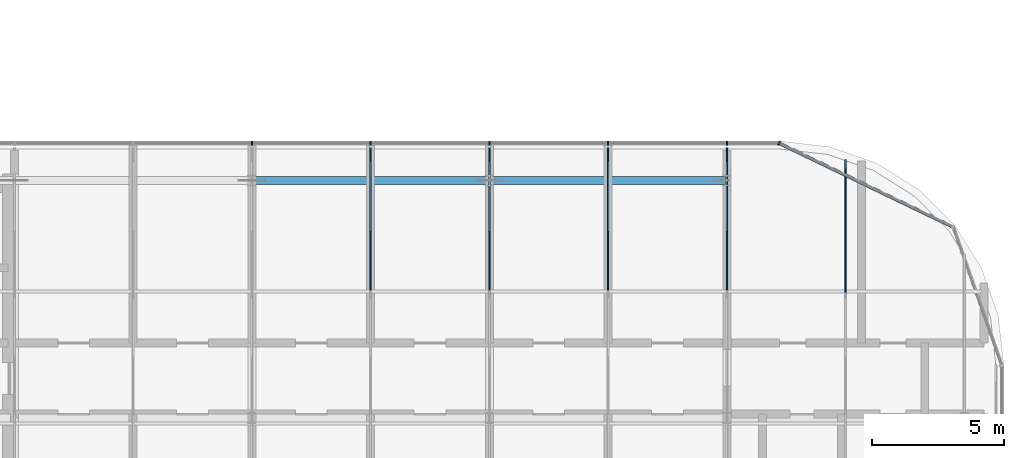
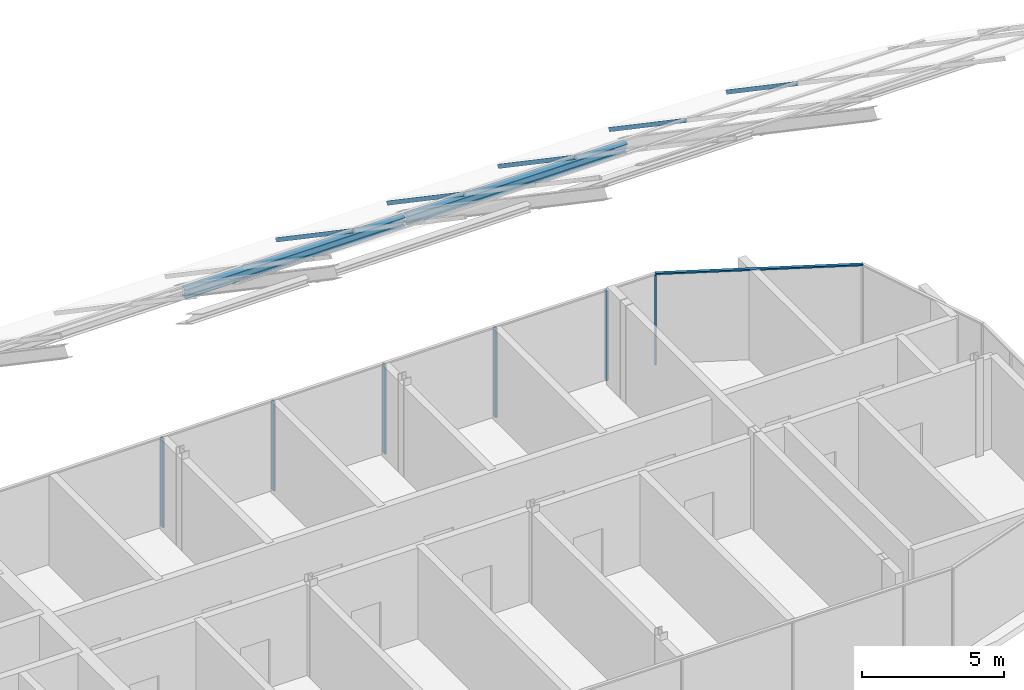
# One storey, part 16 of 25: 14 members, 4 elements without a shape of their own.
"""IFC4 building model written with IfcOpenShell, lengths in metres."""

import ifcopenshell
import ifcopenshell.guid

model = None  # the IFC model being written
_history = None  # IfcOwnerHistory: only IFC2X3 demands one
_inside = {}  # id of a spatial element -> (the spatial element, [elements in it])
_under = {}  # id of a project, library or spatial element -> (it, [spatial elements below it])
_declared = {}  # id of a project -> (the project, [libraries it declares])
_typed = {}  # id of a type object -> (the type object, [elements of that type])
_made_of = {}  # id of a material, layer set ... -> (it, [elements and type objects made of it])


def new_model(schema):
    """Start an empty IFC model of exactly this schema.

    Asked for "IFC4X3", IfcOpenShell would pick the latest addendum, in which some entities
    have other attributes; the version numbers below select the first issue.
    IFC2X3 requires an IfcOwnerHistory on every rooted entity: one is made here for all.
    """
    global model, _history
    if schema == "IFC4X3":
        model = ifcopenshell.file(schema_version=(4, 3, 0, 0))
    else:
        model = ifcopenshell.file(schema=schema)
    _inside.clear()
    _under.clear()
    _declared.clear()
    _typed.clear()
    _made_of.clear()
    _history = None
    if model.schema == "IFC2X3":
        org = make("IfcOrganization", Name="unknown")
        user = make(
            "IfcPersonAndOrganization",
            ThePerson=make("IfcPerson", FamilyName="unknown"),
            TheOrganization=org,
        )
        app = make(
            "IfcApplication",
            ApplicationDeveloper=org,
            Version="unknown",
            ApplicationFullName="unknown",
            ApplicationIdentifier="unknown",
        )
        _history = make(
            "IfcOwnerHistory",
            OwningUser=user,
            OwningApplication=app,
            ChangeAction="ADDED",
            CreationDate=0,
        )
    return model


def make(cls, **values):
    """One entity of the class cls with the attributes given. An attribute that is None is left unset."""
    return model.create_entity(
        cls, **{name: value for name, value in values.items() if value is not None}
    )


def rooted(cls, **values):
    """An entity with a GlobalId (a new one), such as an element, a storey or a relation."""
    return make(cls, GlobalId=ifcopenshell.guid.new(), OwnerHistory=_history, **values)


def si_unit(unit_type, name, prefix=None):
    """IfcSIUnit, for example si_unit("LENGTHUNIT", "METRE", prefix="MILLI")."""
    return make("IfcSIUnit", UnitType=unit_type, Prefix=prefix, Name=name)


def assignment(units):
    """IfcUnitAssignment: the units of a project."""
    return None if units is None else make("IfcUnitAssignment", Units=units)


def point(xyz):
    """IfcCartesianPoint."""
    return None if xyz is None else make("IfcCartesianPoint", Coordinates=xyz)


def direction(xyz):
    """IfcDirection."""
    return None if xyz is None else make("IfcDirection", DirectionRatios=xyz)


def frame(location, z_axis=None, x_axis=None):
    """IfcAxis2Placement3D, a coordinate frame: its origin and axes. An axis left out is left unset."""
    return make(
        "IfcAxis2Placement3D",
        Location=point(location),
        Axis=direction(z_axis),
        RefDirection=direction(x_axis),
    )


def frame_2d(location, x_axis=None):
    """IfcAxis2Placement2D, a coordinate frame in the plane: its origin and x axis."""
    return make(
        "IfcAxis2Placement2D", Location=point(location), RefDirection=direction(x_axis)
    )


def origin():
    """The frame at (0, 0, 0) with its axes left unset."""
    return frame((0.0, 0.0, 0.0))


def origin_2d():
    """The frame at (0, 0) in the plane with its x axis left unset."""
    return frame_2d((0.0, 0.0))


def place(relative_to, where):
    """IfcLocalPlacement: puts the frame where relative to a parent placement (None: the world)."""
    return make(
        "IfcLocalPlacement", PlacementRelTo=relative_to, RelativePlacement=where
    )


def context(
    kind, dimensions, precision=None, world=None, true_north=None, identifier=None
):
    """IfcGeometricRepresentationContext, for example the 3D "Model" context."""
    return make(
        "IfcGeometricRepresentationContext",
        ContextIdentifier=identifier,
        ContextType=kind,
        CoordinateSpaceDimension=dimensions,
        Precision=precision,
        WorldCoordinateSystem=world,
        TrueNorth=true_north,
    )


def subcontext(parent, identifier, kind, view, scale=None):
    """IfcGeometricRepresentationSubContext, for example "Body" below "Model"."""
    return make(
        "IfcGeometricRepresentationSubContext",
        ContextIdentifier=identifier,
        ContextType=kind,
        ParentContext=parent,
        TargetScale=scale,
        TargetView=view,
    )


def project(units=None, contexts=None):
    """IfcProject with its units and contexts."""
    return rooted(
        "IfcProject",
        Name="project",
        RepresentationContexts=contexts,
        UnitsInContext=assignment(units),
    )


def spatial(cls, under=None, at=None, **own):
    """A site, building, storey or space (cls), placed at a placement, below another one or the project."""
    s = rooted(cls, ObjectPlacement=at, **own)
    if under is not None:
        _under.setdefault(under.id(), (under, []))[1].append(s)
    return s


def profile(cls, at=None, kind="AREA", **sizes):
    """A parametric profile (cls). Its sizes go by their IFC names, for example OverallWidth=200.0."""
    return make(cls, ProfileType=kind, Position=at, **sizes)


def rectangle(**sizes):
    """IfcRectangleProfileDef."""
    return profile("IfcRectangleProfileDef", **sizes)


def i_section(**sizes):
    """IfcIShapeProfileDef."""
    return profile("IfcIShapeProfileDef", **sizes)


def extrude(swept, where, along, depth):
    """IfcExtrudedAreaSolid: the profile swept, set in the frame where, extruded along a direction by depth."""
    return make(
        "IfcExtrudedAreaSolid",
        SweptArea=swept,
        Position=where,
        ExtrudedDirection=direction(along),
        Depth=depth,
    )


def shape(context_of_items, identifier, shape_type, items):
    """IfcShapeRepresentation: the items that make up one representation, for example the "Body"."""
    return make(
        "IfcShapeRepresentation",
        ContextOfItems=context_of_items,
        RepresentationIdentifier=identifier,
        RepresentationType=shape_type,
        Items=items,
    )


def material(Name=None, Category=None):
    """IfcMaterial."""
    return make("IfcMaterial", Name=Name, Category=Category)


def material_profile(
    of_material, cross_section, Name=None, Category=None, Priority=None
):
    """IfcMaterialProfile: a cross section and its material."""
    return make(
        "IfcMaterialProfile",
        Name=Name,
        Material=of_material,
        Profile=cross_section,
        Priority=Priority,
        Category=Category,
    )


def profile_set(profiles, Name=None, composite=None):
    """IfcMaterialProfileSet."""
    return make(
        "IfcMaterialProfileSet",
        Name=Name,
        MaterialProfiles=profiles,
        CompositeProfile=composite,
    )


def made_of(thing, what):
    """Note that an element or type object is made of a material, layer set ...; save() writes the relation."""
    if what is not None:
        _made_of.setdefault(what.id(), (what, []))[1].append(thing)
    return thing


def type_object(cls, material=None, **own):
    """A type object (cls), such as IfcWallType, which elements share."""
    return made_of(rooted(cls, **own), material)


def element(
    cls,
    number,
    at=None,
    inside=None,
    cuts=None,
    type_object=None,
    material=None,
    context=None,
    identifier="Body",
    shape_type=None,
    held_by="IfcProductDefinitionShape",
    body=None,
    shapes=None,
    **own,
):
    """One element of the class cls, such as IfcWall. Its Tag is "e" and its number.

    at: its placement. inside: the storey or other place that contains it. cuts: it is an
    opening in that element (IfcRelVoidsElement). A single representation is given by context,
    identifier, shape_type and body (its items); several are given by shapes. held_by: the class
    of the entity that holds the representations. save() writes the other relations.
    """
    e = rooted(cls, Tag="e%d" % number, ObjectPlacement=at, **own)
    if body is not None:
        shapes = [shape(context, identifier, shape_type, body)]
    if shapes is not None:
        e.Representation = make(held_by, Representations=shapes)
    if inside is not None:
        _inside.setdefault(inside.id(), (inside, []))[1].append(e)
    if cuts is not None:
        rooted(
            "IfcRelVoidsElement", RelatingBuildingElement=cuts, RelatedOpeningElement=e
        )
    if type_object is not None:
        _typed.setdefault(type_object.id(), (type_object, []))[1].append(e)
    return made_of(e, material)


def aggregate(whole, parts):
    """IfcRelAggregates: a whole, such as a stair, and the parts it consists of."""
    return rooted("IfcRelAggregates", RelatingObject=whole, RelatedObjects=parts)


def save(model, path):
    """Write the relations noted so far, then the file.

    IfcRelAggregates (storeys below a building ...), IfcRelContainedInSpatialStructure (elements
    in a storey), IfcRelDefinesByType, IfcRelAssociatesMaterial and IfcRelDeclares: one each for
    every whole, place, type object, material and project.
    """
    for whole, parts in _under.values():
        aggregate(whole, parts)
    for where, things in _inside.values():
        rooted(
            "IfcRelContainedInSpatialStructure",
            RelatedElements=things,
            RelatingStructure=where,
        )
    for kind, things in _typed.values():
        rooted("IfcRelDefinesByType", RelatedObjects=things, RelatingType=kind)
    for what, things in _made_of.values():
        rooted("IfcRelAssociatesMaterial", RelatedObjects=things, RelatingMaterial=what)
    for by, libraries in _declared.values():
        rooted("IfcRelDeclares", RelatingContext=by, RelatedDefinitions=libraries)
    model.write(path)


model = new_model("IFC4")

# Units and contexts
model_context = context("Model", 3, precision=1e-05, world=origin(), true_north=direction((0.0, 1.0)))
body_context = subcontext(model_context, "Body", "Model", "MODEL_VIEW")
ifc_project = project(units=[si_unit("LENGTHUNIT", "METRE"), si_unit("AREAUNIT", "SQUARE_METRE"), si_unit("VOLUMEUNIT", "CUBIC_METRE"), si_unit("PLANEANGLEUNIT", "RADIAN"), si_unit("MASSUNIT", "GRAM", prefix="KILO")], contexts=[model_context])

# Site, building, storey
site_placement = place(None, origin())
site = spatial("IfcSite", under=ifc_project, at=site_placement, CompositionType="ELEMENT")
building_placement = place(site_placement, origin())
building = spatial("IfcBuilding", under=site, at=building_placement, Name="Ogive Portal Towers", CompositionType="ELEMENT")
storey_placement = place(building_placement, frame((0.0, 0.0, 272.89990234375)))
storey = spatial("IfcBuildingStorey", under=building, at=storey_placement, Name="L66", CompositionType="ELEMENT", Elevation=272.89990234375)

# Members
ifc_material_1 = material(Name="Steel S355", Category="steel")
ifc_material_profile_1 = material_profile(ifc_material_1, i_section(OverallWidth=0.300048828125, OverallDepth=0.389892578125, WebThickness=0.010986328125, FlangeThickness=0.01904296875, FilletRadius=0.027099609375, at=origin_2d()), Name="HEA 400")
ifc_profile_set_1 = profile_set([ifc_material_profile_1], Name="Steel S355")
member_type_1 = type_object("IfcMemberType", Name="CROWN EAVE BEAM HEA 400", PredefinedType="STRUT", material=ifc_profile_set_1)
for number, where, z_axis, x_axis, name in (
    (1, (67.550048828125, 39.5, 10.885009765625), (1.0, 0.0, 0.0), (0.0, 1.0, 0.0), "Crown eave"),
    (2, (76.550048828125, 39.5, 10.885009765625), (1.0, 0.0, 0.0), (0.0, 1.0, 0.0), "Crown eave"),
):
    element("IfcMember", number, at=place(storey_placement, frame(where, z_axis=z_axis, x_axis=x_axis)), inside=storey, type_object=member_type_1, Name=name, PredefinedType="STRUT", context=body_context, shape_type="SweptSolid", body=[
        extrude(i_section(OverallWidth=0.300048828125, OverallDepth=0.389892578125, WebThickness=0.010986328125, FlangeThickness=0.01904296875, FilletRadius=0.027099609375, at=origin_2d()), origin(), (0.0, 0.0, 1.0), 8.89990234375),
    ])

# Curtain wall, member
ifc_material_2 = material(Name="Glass, clear low-iron insulated glazing", Category="glass")
curtain_wall_type = type_object("IfcCurtainWallType", Name="CW CROWN GLAZING", PredefinedType="NOTDEFINED", material=ifc_material_2)
curtain_wall_1_placement = place(storey_placement, origin())
curtain_wall_1 = element("IfcCurtainWall", 3, at=curtain_wall_1_placement, inside=storey, type_object=curtain_wall_type, Name="A:L66:c11:cw", PredefinedType="NOTDEFINED")
ifc_material_3 = material(Name="Aluminium 6063 anodised", Category="aluminium")
ifc_material_profile_2 = material_profile(ifc_material_3, rectangle(XDim=0.159912109375, YDim=0.06005859375, at=origin_2d()), Name="AL 60x160")
ifc_profile_set_2 = profile_set([ifc_material_profile_2], Name="Aluminium 6063 anodised")
member_type_2 = type_object("IfcMemberType", Name="CW MULLION 60x160", PredefinedType="MULLION", material=ifc_profile_set_2)
member_1_placement = place(storey_placement, frame((87.481689453125, 40.919921875, 0.0), z_axis=(0.0, 0.0, 1.0), x_axis=(-0.433883739113, -0.900968867905, 0.0)))
member_1 = element("IfcMember", 4, at=member_1_placement, type_object=member_type_2, Name="mullion", PredefinedType="MULLION", context=body_context, shape_type="SweptSolid", body=[
    extrude(rectangle(XDim=0.159912109375, YDim=0.06005859375, at=origin_2d()), origin(), (0.0, 0.0, 1.0), 3.840087890625),
])

# Curtain wall, members
curtain_wall_2_placement = place(storey_placement, origin())
curtain_wall_2 = element("IfcCurtainWall", 5, at=curtain_wall_2_placement, inside=storey, type_object=curtain_wall_type, Name="A:L66:c12:cw", PredefinedType="NOTDEFINED")
member_2_placement = place(storey_placement, frame((85.5, 40.919921875, 0.0), z_axis=(0.0, 0.0, 1.0), x_axis=(0.0, -1.0, 0.0)))
member_2 = element("IfcMember", 6, at=member_2_placement, type_object=member_type_2, Name="mullion", PredefinedType="MULLION", context=body_context, shape_type="SweptSolid", body=[
    extrude(rectangle(XDim=0.159912109375, YDim=0.06005859375, at=origin_2d()), origin(), (0.0, 0.0, 1.0), 3.840087890625),
])
member_3_placement = place(storey_placement, frame((81.0, 40.919921875, 0.0), z_axis=(0.0, 0.0, 1.0), x_axis=(0.0, -1.0, 0.0)))
member_3 = element("IfcMember", 7, at=member_3_placement, type_object=member_type_2, Name="mullion", PredefinedType="MULLION", context=body_context, shape_type="SweptSolid", body=[
    extrude(rectangle(XDim=0.159912109375, YDim=0.06005859375, at=origin_2d()), origin(), (0.0, 0.0, 1.0), 3.840087890625),
])
member_4_placement = place(storey_placement, frame((76.5, 40.919921875, 0.0), z_axis=(0.0, 0.0, 1.0), x_axis=(0.0, -1.0, 0.0)))
member_4 = element("IfcMember", 8, at=member_4_placement, type_object=member_type_2, Name="mullion", PredefinedType="MULLION", context=body_context, shape_type="SweptSolid", body=[
    extrude(rectangle(XDim=0.159912109375, YDim=0.06005859375, at=origin_2d()), origin(), (0.0, 0.0, 1.0), 3.840087890625),
])
member_5_placement = place(storey_placement, frame((72.0, 40.919921875, 0.0), z_axis=(0.0, 0.0, 1.0), x_axis=(0.0, -1.0, 0.0)))
member_5 = element("IfcMember", 9, at=member_5_placement, type_object=member_type_2, Name="mullion", PredefinedType="MULLION", context=body_context, shape_type="SweptSolid", body=[
    extrude(rectangle(XDim=0.159912109375, YDim=0.06005859375, at=origin_2d()), origin(), (0.0, 0.0, 1.0), 3.840087890625),
])
member_6_placement = place(storey_placement, frame((67.5, 40.919921875, 0.0), z_axis=(0.0, 0.0, 1.0), x_axis=(0.0, -1.0, 0.0)))
member_6 = element("IfcMember", 10, at=member_6_placement, type_object=member_type_2, Name="mullion", PredefinedType="MULLION", context=body_context, shape_type="SweptSolid", body=[
    extrude(rectangle(XDim=0.159912109375, YDim=0.06005859375, at=origin_2d()), origin(), (0.0, 0.0, 1.0), 3.840087890625),
])
aggregate(curtain_wall_2, [member_2, member_3, member_4, member_5, member_6])

curtain_wall_3_placement = place(storey_placement, origin())
curtain_wall_3 = element("IfcCurtainWall", 11, at=curtain_wall_3_placement, inside=storey, type_object=curtain_wall_type, Name="Crown roof glazing 4", PredefinedType="NOTDEFINED")
ifc_material_profile_3 = material_profile(ifc_material_3, rectangle(XDim=0.06005859375, YDim=0.159912109375, at=origin_2d()), Name="AL 60x160 rafter")
ifc_profile_set_3 = profile_set([ifc_material_profile_3], Name="Aluminium 6063 anodised")
member_type_3 = type_object("IfcMemberType", Name="CW ROOF RAFTER 60x160", PredefinedType="MULLION", material=ifc_profile_set_3)
member_7_placement = place(storey_placement, frame((72.0, 35.300048828125, 14.53173828125), z_axis=(0.0, 0.826913289784, -0.562329450748), x_axis=(-1.0, 0.0, 0.0)))
member_7 = element("IfcMember", 12, at=member_7_placement, type_object=member_type_3, Name="roof rafter", PredefinedType="MULLION", context=body_context, shape_type="SweptSolid", body=[
    extrude(rectangle(XDim=0.06005859375, YDim=0.159912109375, at=origin_2d()), origin(), (0.0, 0.0, 1.0), 6.5302734375),
])
member_8_placement = place(storey_placement, frame((76.5, 35.300048828125, 14.53173828125), z_axis=(0.0, 0.826913289784, -0.562329450748), x_axis=(-1.0, 0.0, 0.0)))
member_8 = element("IfcMember", 13, at=member_8_placement, type_object=member_type_3, Name="roof rafter", PredefinedType="MULLION", context=body_context, shape_type="SweptSolid", body=[
    extrude(rectangle(XDim=0.06005859375, YDim=0.159912109375, at=origin_2d()), origin(), (0.0, 0.0, 1.0), 6.5302734375),
])
member_9_placement = place(storey_placement, frame((81.0, 35.300048828125, 14.53173828125), z_axis=(0.0, 0.826913289784, -0.562329450748), x_axis=(-1.0, 0.0, 0.0)))
member_9 = element("IfcMember", 14, at=member_9_placement, type_object=member_type_3, Name="roof rafter", PredefinedType="MULLION", context=body_context, shape_type="SweptSolid", body=[
    extrude(rectangle(XDim=0.06005859375, YDim=0.159912109375, at=origin_2d()), origin(), (0.0, 0.0, 1.0), 6.5302734375),
])
aggregate(curtain_wall_3, [member_7, member_8, member_9])

curtain_wall_4_placement = place(storey_placement, origin())
curtain_wall_4 = element("IfcCurtainWall", 15, at=curtain_wall_4_placement, inside=storey, type_object=curtain_wall_type, Name="Crown roof glazing 5", PredefinedType="NOTDEFINED")
member_10_placement = place(storey_placement, frame((85.5, 35.300048828125, 14.53173828125), z_axis=(0.0, 0.826913289784, -0.562329450748), x_axis=(-1.0, 0.0, 0.0)))
member_10 = element("IfcMember", 16, at=member_10_placement, type_object=member_type_3, Name="roof rafter", PredefinedType="MULLION", context=body_context, shape_type="SweptSolid", body=[
    extrude(rectangle(XDim=0.06005859375, YDim=0.159912109375, at=origin_2d()), origin(), (0.0, 0.0, 1.0), 6.5302734375),
])
member_11_placement = place(storey_placement, frame((90.0, 35.300048828125, 14.53173828125), z_axis=(0.0, 0.826907560567, -0.562337875548), x_axis=(-1.0, 0.0, 0.0)))
member_11 = element("IfcMember", 17, at=member_11_placement, type_object=member_type_3, Name="roof rafter", PredefinedType="MULLION", context=body_context, shape_type="SweptSolid", body=[
    extrude(rectangle(XDim=0.06005859375, YDim=0.159912109375, at=origin_2d()), origin(), (0.0, 0.0, 1.0), 5.993408203125),
])
aggregate(curtain_wall_4, [member_10, member_11])

# Member
ifc_material_profile_4 = material_profile(ifc_material_3, rectangle(XDim=0.1201171875, YDim=0.06005859375, at=origin_2d()), Name="AL 120x60")
ifc_profile_set_4 = profile_set([ifc_material_profile_4], Name="Aluminium 6063 anodised")
member_type_4 = type_object("IfcMemberType", Name="CW TRANSOM 60x120", PredefinedType="USERDEFINED", material=ifc_profile_set_4)
member_12_placement = place(storey_placement, frame((94.0810546875, 37.741943359375, 3.8701171875), z_axis=(-0.900974646757, 0.433871738997, 0.0), x_axis=(-0.433871738997, -0.900974646757, 0.0)))
member_12 = element("IfcMember", 18, at=member_12_placement, type_object=member_type_4, Name="transom", ObjectType="TRANSOM", PredefinedType="USERDEFINED", context=body_context, shape_type="SweptSolid", body=[
    extrude(rectangle(XDim=0.1201171875, YDim=0.06005859375, at=origin_2d()), origin(), (0.0, 0.0, 1.0), 7.32470703125),
])

aggregate(curtain_wall_1, [member_12, member_1])

save(model, "model.ifc")
